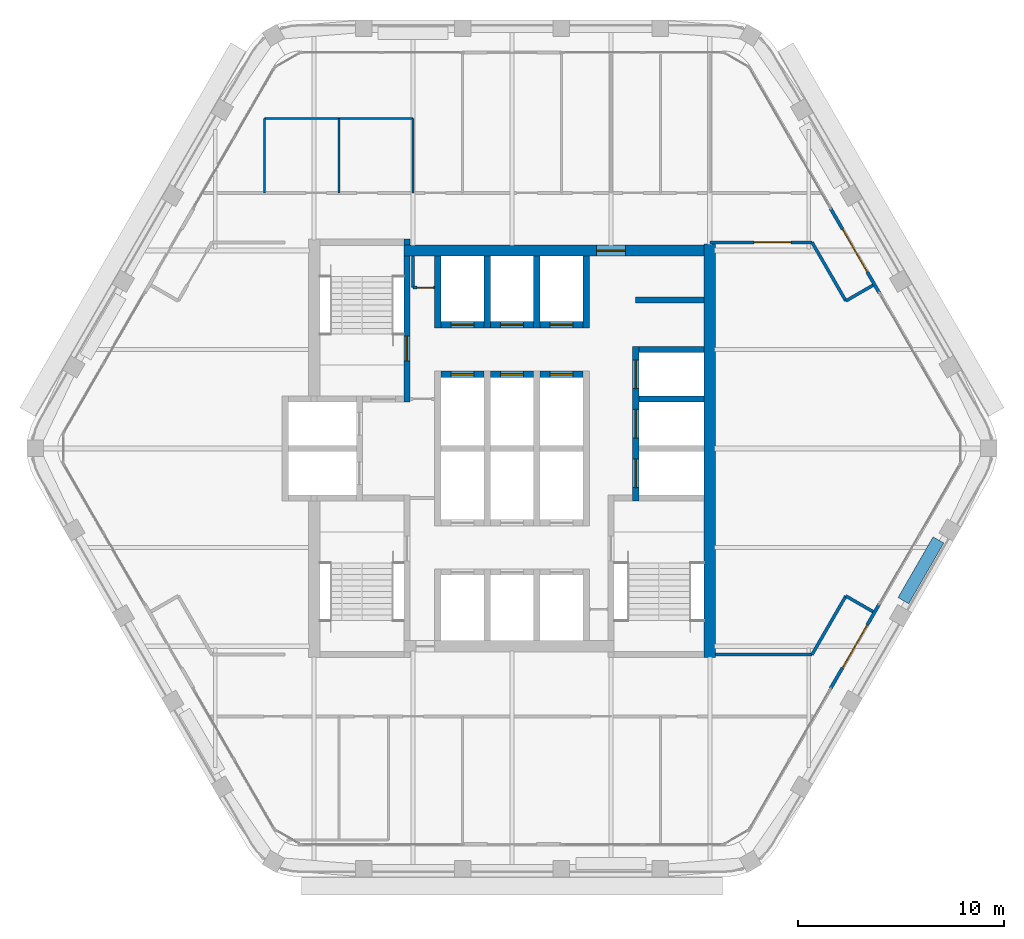
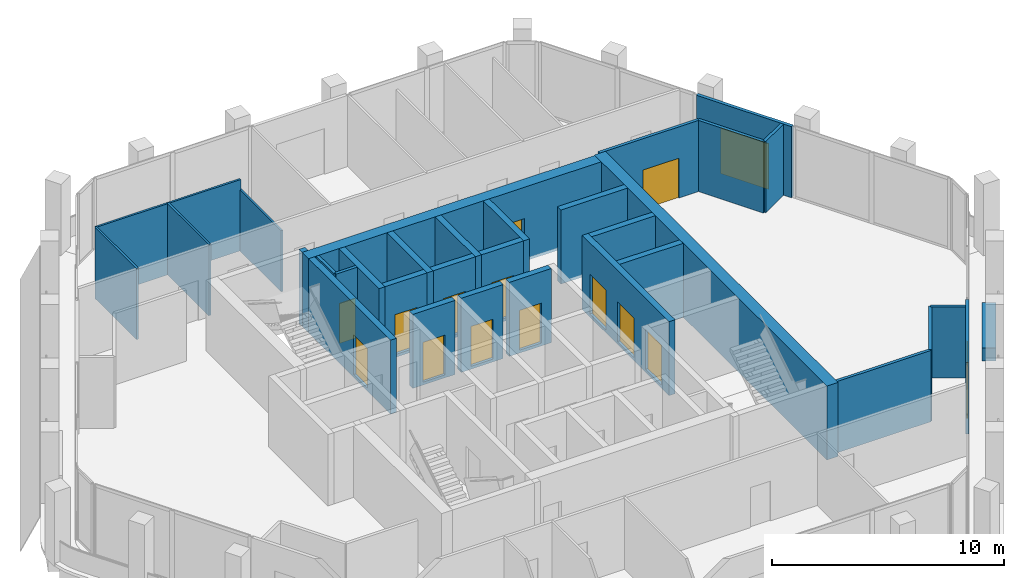
# One storey, part 9 of 13: 33 walls, 15 doors, 15 openings.
"""IFC4 building model written with IfcOpenShell, lengths in metres."""

from ifc_helpers import new_model, si_unit, direction, frame, frame_2d, origin, place, context, subcontext, project, spatial, rectangle, extrude, material, layer, layer_set, type_object, element, fill, save


model = new_model("IFC4")

# Units and contexts
model_context = context("Model", 3, precision=1e-05, world=origin(), true_north=direction((0.0, 1.0)))
body_context = subcontext(model_context, "Body", "Model", "MODEL_VIEW")
ifc_project = project(units=[si_unit("LENGTHUNIT", "METRE"), si_unit("AREAUNIT", "SQUARE_METRE"), si_unit("VOLUMEUNIT", "CUBIC_METRE"), si_unit("PLANEANGLEUNIT", "RADIAN"), si_unit("MASSUNIT", "GRAM", prefix="KILO")], contexts=[model_context])

# Site, building, storey
site_placement = place(None, origin())
site = spatial("IfcSite", under=ifc_project, at=site_placement, CompositionType="ELEMENT")
building_placement = place(site_placement, origin())
building = spatial("IfcBuilding", under=site, at=building_placement, Name="Kolab Exchange Tower", CompositionType="ELEMENT")
storey_placement = place(building_placement, frame((0.0, 0.0, 230.60009765625)))
storey = spatial("IfcBuildingStorey", under=building, at=storey_placement, Name="L50", CompositionType="ELEMENT", Elevation=230.60009765625)

# Wall, opening, door
ifc_material_1 = material(Name="Concrete C50/60", Category="concrete")
ifc_layer_1 = layer(ifc_material_1, 0.550048828125)
ifc_layer_set_1 = layer_set([ifc_layer_1], Name="Concrete C50/60")
wall_type_1 = type_object("IfcWallType", Name="CORE WALL 550 C50/60", PredefinedType="SHEAR", material=ifc_layer_set_1)
wall_1_placement = place(storey_placement, frame((-5.25, 9.60009765625, -0.150146484375), z_axis=(0.0, 0.0, 1.0), x_axis=(1.0, 0.0, 0.0)))
wall_1 = element("IfcWall", 1, at=wall_1_placement, inside=storey, type_object=wall_type_1, Name="wall/L50/core/031", PredefinedType="SHEAR", context=body_context, shape_type="SweptSolid", body=[
    extrude(rectangle(XDim=14.574951171875, YDim=0.550048828125, at=frame_2d((7.28759765625, 0.0))), origin(), (0.0, 0.0, 1.0), 3.900146484375),
])
opening_1_placement = place(wall_1_placement, frame((9.35009765625, 0.0, 0.14990234375)))
opening_1 = element("IfcOpeningElement", 2, at=opening_1_placement, cuts=wall_1, Name="Opening D5-011", PredefinedType="OPENING", context=body_context, shape_type="SweptSolid", body=[
    extrude(rectangle(XDim=1.39990234375, YDim=2.10009765625, at=frame_2d((0.699951171875, 1.050048828125))), frame((0.0, 0.28515625, 0.0), z_axis=(0.0, -1.0, 0.0), x_axis=(1.0, 0.0, 0.0)), (0.0, 0.0, 1.0), 0.570068359375),
])
ifc_material_2 = material(Name="Steel S235", Category="steel")
door_type_1 = type_object("IfcDoorType", Name="CORE DOOR 1400 EI 120", OperationType="DOUBLE_DOOR_SINGLE_SWING", PredefinedType="DOOR", material=ifc_material_2)
door_1_placement = place(opening_1_placement, frame((1.39990234375, 0.0, 0.0), z_axis=(0.0, 0.0, 1.0), x_axis=(-1.0, 0.0, 0.0)))
door_1 = element("IfcDoor", 3, at=door_1_placement, inside=storey, type_object=door_type_1, Name="Core lobby door", OperationType="SINGLE_SWING_LEFT", OverallHeight=2.10009765625, OverallWidth=1.39990234375, PredefinedType="DOOR", context=body_context, shape_type="SweptSolid", body=[
    extrude(rectangle(XDim=1.39990234375, YDim=2.10009765625, at=frame_2d((0.699951171875, 1.050048828125))), frame((0.0, 0.02490234375, 0.0), z_axis=(0.0, -1.0, 0.0), x_axis=(1.0, 0.0, 0.0)), (0.0, 0.0, 1.0), 0.050048828125),
])
fill(opening_1, door_1)

# Wall
wall_2_placement = place(storey_placement, frame((9.60009765625, -10.14990234375, -0.150146484375), z_axis=(0.0, 0.0, 1.0), x_axis=(0.0, 1.0, 0.0)))
element("IfcWall", 4, at=wall_2_placement, inside=storey, type_object=wall_type_1, Name="wall/L50/core/058", PredefinedType="SHEAR", context=body_context, shape_type="SweptSolid", body=[
    extrude(rectangle(XDim=20.074951171875, YDim=0.550048828125, at=frame_2d((10.03759765625, 0.0))), origin(), (0.0, 0.0, 1.0), 3.900146484375),
])

# Wall, opening, door
ifc_material_3 = material(Name="Aluminium EN AW-6063 T6", Category="aluminium")
ifc_layer_2 = layer(ifc_material_3, 0.159912109375)
ifc_layer_set_2 = layer_set([ifc_layer_2], Name="Aluminium EN AW-6063 T6")
wall_type_2 = type_object("IfcWallType", Name="DOOR SURROUND WALL 160 ALUMINIUM FRAMED", PredefinedType="PARTITIONING", material=ifc_layer_set_2)
wall_3_placement = place(storey_placement, frame((15.44677734375, 11.65478515625, 0.0), z_axis=(0.0, 0.0, 1.0), x_axis=(0.499978080042, -0.866038058908, 0.0)))
wall_3 = element("IfcWall", 5, at=wall_3_placement, inside=storey, type_object=wall_type_2, Name="Door surround wall", PredefinedType="PARTITIONING", context=body_context, shape_type="SweptSolid", body=[
    extrude(rectangle(XDim=4.739990234375, YDim=0.159912109375, at=frame_2d((2.3701171875, 0.0))), origin(), (0.0, 0.0, 1.0), 3.75),
])
opening_2_placement = place(wall_3_placement, frame((1.169921875, 0.0, 0.0)))
opening_2 = element("IfcOpeningElement", 6, at=opening_2_placement, cuts=wall_3, Name="Opening GD1-090", PredefinedType="OPENING", context=body_context, shape_type="SweptSolid", body=[
    extrude(rectangle(XDim=2.39990234375, YDim=2.39990234375, at=frame_2d((1.199951171875, 1.199951171875))), frame((0.0, 0.08984375, 0.0), z_axis=(0.0, -1.0, 0.0), x_axis=(1.0, 0.0, 0.0)), (0.0, 0.0, 1.0), 0.179931640625),
])
door_type_2 = type_object("IfcDoorType", Name="LOGGIA SLIDING GLASS DOOR 2400 X 2400", OperationType="DOUBLE_DOOR_SINGLE_SWING", PredefinedType="DOOR", material=ifc_material_3)
door_2_placement = place(opening_2_placement, origin())
door_2 = element("IfcDoor", 7, at=door_2_placement, inside=storey, type_object=door_type_2, Name="Loggia door", OperationType="DOUBLE_DOOR_SLIDING", OverallHeight=2.39990234375, OverallWidth=2.39990234375, PredefinedType="DOOR", context=body_context, shape_type="SweptSolid", body=[
    extrude(rectangle(XDim=2.39990234375, YDim=2.39990234375, at=frame_2d((1.199951171875, 1.199951171875))), frame((0.0, 0.02490234375, 0.0), z_axis=(0.0, -1.0, 0.0), x_axis=(1.0, 0.0, 0.0)), (0.0, 0.0, 1.0), 0.050048828125),
])
fill(opening_2, door_2)

wall_4_placement = place(storey_placement, frame((17.816650390625, -7.5498046875, 0.0), z_axis=(0.0, 0.0, 1.0), x_axis=(-0.499978080042, -0.866038058908, 0.0)))
wall_4 = element("IfcWall", 8, at=wall_4_placement, inside=storey, type_object=wall_type_2, Name="Door surround wall", PredefinedType="PARTITIONING", context=body_context, shape_type="SweptSolid", body=[
    extrude(rectangle(XDim=4.739990234375, YDim=0.159912109375, at=frame_2d((2.3701171875, 0.0))), origin(), (0.0, 0.0, 1.0), 3.75),
])
opening_3_placement = place(wall_4_placement, frame((1.169921875, 0.0, 0.0)))
opening_3 = element("IfcOpeningElement", 9, at=opening_3_placement, cuts=wall_4, Name="Opening GD1-091", PredefinedType="OPENING", context=body_context, shape_type="SweptSolid", body=[
    extrude(rectangle(XDim=2.39990234375, YDim=2.39990234375, at=frame_2d((1.199951171875, 1.199951171875))), frame((0.0, 0.08984375, 0.0), z_axis=(0.0, -1.0, 0.0), x_axis=(1.0, 0.0, 0.0)), (0.0, 0.0, 1.0), 0.179931640625),
])
door_3_placement = place(opening_3_placement, origin())
door_3 = element("IfcDoor", 10, at=door_3_placement, inside=storey, type_object=door_type_2, Name="Loggia door", OperationType="DOUBLE_DOOR_SLIDING", OverallHeight=2.39990234375, OverallWidth=2.39990234375, PredefinedType="DOOR", context=body_context, shape_type="SweptSolid", body=[
    extrude(rectangle(XDim=2.39990234375, YDim=2.39990234375, at=frame_2d((1.199951171875, 1.199951171875))), frame((0.0, 0.02490234375, 0.0), z_axis=(0.0, -1.0, 0.0), x_axis=(1.0, 0.0, 0.0)), (0.0, 0.0, 1.0), 0.050048828125),
])
fill(opening_3, door_3)

# Wall
ifc_layer_3 = layer(ifc_material_1, 0.300048828125)
ifc_layer_set_3 = layer_set([ifc_layer_3], Name="Concrete C50/60")
wall_type_3 = type_object("IfcWallType", Name="LIFT SHAFT WALL 300 C50/60", PredefinedType="STANDARD", material=ifc_layer_set_3)
wall_5_placement = place(storey_placement, frame((6.14990234375, 2.39990234375, -0.150146484375), z_axis=(0.0, 0.0, 1.0), x_axis=(1.0, 0.0, 0.0)))
element("IfcWall", 11, at=wall_5_placement, inside=storey, type_object=wall_type_3, Name="wall/L50/core/022", PredefinedType="STANDARD", context=body_context, shape_type="SweptSolid", body=[
    extrude(rectangle(XDim=3.175048828125, YDim=0.300048828125, at=frame_2d((1.58740234375, 0.0))), origin(), (0.0, 0.0, 1.0), 3.900146484375),
])

# Wall, opening, door
wall_6_placement = place(storey_placement, frame((-3.449951171875, 3.60009765625, -0.150146484375), z_axis=(0.0, 0.0, 1.0), x_axis=(1.0, 0.0, 0.0)))
wall_6 = element("IfcWall", 12, at=wall_6_placement, inside=storey, type_object=wall_type_3, Name="wall/L50/core/023", PredefinedType="STANDARD", context=body_context, shape_type="SweptSolid", body=[
    extrude(rectangle(XDim=2.099853515625, YDim=0.300048828125, at=frame_2d((1.0498046875, 0.0))), origin(), (0.0, 0.0, 1.0), 3.900146484375),
])
opening_4_placement = place(wall_6_placement, frame((0.5, 0.0, 0.14990234375)))
opening_4 = element("IfcOpeningElement", 13, at=opening_4_placement, cuts=wall_6, Name="Opening LD1-115", PredefinedType="OPENING", context=body_context, shape_type="SweptSolid", body=[
    extrude(rectangle(XDim=1.10009765625, YDim=2.10009765625, at=frame_2d((0.550048828125, 1.050048828125))), frame((0.0, 0.16015625, 0.0), z_axis=(0.0, -1.0, 0.0), x_axis=(1.0, 0.0, 0.0)), (0.0, 0.0, 1.0), 0.320068359375),
])
ifc_material_4 = material(Name="Stainless steel 316", Category="steel")
door_type_3 = type_object("IfcDoorType", Name="LANDING DOOR 1100 PASSENGER", OperationType="DOUBLE_DOOR_SLIDING", PredefinedType="DOOR", material=ifc_material_4)
door_4_placement = place(opening_4_placement, origin())
door_4 = element("IfcDoor", 14, at=door_4_placement, inside=storey, type_object=door_type_3, Name="Landing door HR4", OperationType="DOUBLE_DOOR_SLIDING", OverallHeight=2.10009765625, OverallWidth=1.10009765625, PredefinedType="DOOR", context=body_context, shape_type="SweptSolid", body=[
    extrude(rectangle(XDim=1.10009765625, YDim=2.10009765625, at=frame_2d((0.550048828125, 1.050048828125))), frame((0.0, 0.02490234375, 0.0), z_axis=(0.0, -1.0, 0.0), x_axis=(1.0, 0.0, 0.0)), (0.0, 0.0, 1.0), 0.050048828125),
])
fill(opening_4, door_4)

wall_7_placement = place(storey_placement, frame((-1.050048828125, 3.60009765625, -0.150146484375), z_axis=(0.0, 0.0, 1.0), x_axis=(1.0, 0.0, 0.0)))
wall_7 = element("IfcWall", 15, at=wall_7_placement, inside=storey, type_object=wall_type_3, Name="wall/L50/core/024", PredefinedType="STANDARD", context=body_context, shape_type="SweptSolid", body=[
    extrude(rectangle(XDim=2.10009765625, YDim=0.300048828125, at=frame_2d((1.050048828125, 0.0))), origin(), (0.0, 0.0, 1.0), 3.900146484375),
])
opening_5_placement = place(wall_7_placement, frame((0.5, 0.0, 0.14990234375)))
opening_5 = element("IfcOpeningElement", 16, at=opening_5_placement, cuts=wall_7, Name="Opening LD1-116", PredefinedType="OPENING", context=body_context, shape_type="SweptSolid", body=[
    extrude(rectangle(XDim=1.10009765625, YDim=2.10009765625, at=frame_2d((0.550048828125, 1.050048828125))), frame((0.0, 0.16015625, 0.0), z_axis=(0.0, -1.0, 0.0), x_axis=(1.0, 0.0, 0.0)), (0.0, 0.0, 1.0), 0.320068359375),
])
door_5_placement = place(opening_5_placement, origin())
door_5 = element("IfcDoor", 17, at=door_5_placement, inside=storey, type_object=door_type_3, Name="Landing door HR5", OperationType="DOUBLE_DOOR_SLIDING", OverallHeight=2.10009765625, OverallWidth=1.10009765625, PredefinedType="DOOR", context=body_context, shape_type="SweptSolid", body=[
    extrude(rectangle(XDim=1.10009765625, YDim=2.10009765625, at=frame_2d((0.550048828125, 1.050048828125))), frame((0.0, 0.02490234375, 0.0), z_axis=(0.0, -1.0, 0.0), x_axis=(1.0, 0.0, 0.0)), (0.0, 0.0, 1.0), 0.050048828125),
])
fill(opening_5, door_5)

wall_8_placement = place(storey_placement, frame((1.35009765625, 3.60009765625, -0.150146484375), z_axis=(0.0, 0.0, 1.0), x_axis=(1.0, 0.0, 0.0)))
wall_8 = element("IfcWall", 18, at=wall_8_placement, inside=storey, type_object=wall_type_3, Name="wall/L50/core/025", PredefinedType="STANDARD", context=body_context, shape_type="SweptSolid", body=[
    extrude(rectangle(XDim=2.099853515625, YDim=0.300048828125, at=frame_2d((1.0498046875, 0.0))), origin(), (0.0, 0.0, 1.0), 3.900146484375),
])
opening_6_placement = place(wall_8_placement, frame((0.5, 0.0, 0.14990234375)))
opening_6 = element("IfcOpeningElement", 19, at=opening_6_placement, cuts=wall_8, Name="Opening LD1-117", PredefinedType="OPENING", context=body_context, shape_type="SweptSolid", body=[
    extrude(rectangle(XDim=1.10009765625, YDim=2.10009765625, at=frame_2d((0.550048828125, 1.050048828125))), frame((0.0, 0.16015625, 0.0), z_axis=(0.0, -1.0, 0.0), x_axis=(1.0, 0.0, 0.0)), (0.0, 0.0, 1.0), 0.320068359375),
])
door_6_placement = place(opening_6_placement, origin())
door_6 = element("IfcDoor", 20, at=door_6_placement, inside=storey, type_object=door_type_3, Name="Landing door HR6", OperationType="DOUBLE_DOOR_SLIDING", OverallHeight=2.10009765625, OverallWidth=1.10009765625, PredefinedType="DOOR", context=body_context, shape_type="SweptSolid", body=[
    extrude(rectangle(XDim=1.10009765625, YDim=2.10009765625, at=frame_2d((0.550048828125, 1.050048828125))), frame((0.0, 0.02490234375, 0.0), z_axis=(0.0, -1.0, 0.0), x_axis=(1.0, 0.0, 0.0)), (0.0, 0.0, 1.0), 0.050048828125),
])
fill(opening_6, door_6)

# Wall
wall_9_placement = place(storey_placement, frame((6.14990234375, 4.800048828125, -0.150146484375), z_axis=(0.0, 0.0, 1.0), x_axis=(1.0, 0.0, 0.0)))
element("IfcWall", 21, at=wall_9_placement, inside=storey, type_object=wall_type_3, Name="wall/L50/core/026", PredefinedType="STANDARD", context=body_context, shape_type="SweptSolid", body=[
    extrude(rectangle(XDim=3.175048828125, YDim=0.300048828125, at=frame_2d((1.58740234375, 0.0))), origin(), (0.0, 0.0, 1.0), 3.900146484375),
])

# Wall, opening, door
wall_10_placement = place(storey_placement, frame((-3.449951171875, 6.0, -0.150146484375), z_axis=(0.0, 0.0, 1.0), x_axis=(1.0, 0.0, 0.0)))
wall_10 = element("IfcWall", 22, at=wall_10_placement, inside=storey, type_object=wall_type_3, Name="wall/L50/core/027", PredefinedType="STANDARD", context=body_context, shape_type="SweptSolid", body=[
    extrude(rectangle(XDim=2.099853515625, YDim=0.300048828125, at=frame_2d((1.0498046875, 0.0))), origin(), (0.0, 0.0, 1.0), 3.900146484375),
])
opening_7_placement = place(wall_10_placement, frame((0.5, 0.0, 0.14990234375)))
opening_7 = element("IfcOpeningElement", 23, at=opening_7_placement, cuts=wall_10, Name="Opening LD1-109", PredefinedType="OPENING", context=body_context, shape_type="SweptSolid", body=[
    extrude(rectangle(XDim=1.10009765625, YDim=2.10009765625, at=frame_2d((0.550048828125, 1.050048828125))), frame((0.0, 0.16015625, 0.0), z_axis=(0.0, -1.0, 0.0), x_axis=(1.0, 0.0, 0.0)), (0.0, 0.0, 1.0), 0.320068359375),
])
door_7_placement = place(opening_7_placement, origin())
door_7 = element("IfcDoor", 24, at=door_7_placement, inside=storey, type_object=door_type_3, Name="Landing door HR1", OperationType="DOUBLE_DOOR_SLIDING", OverallHeight=2.10009765625, OverallWidth=1.10009765625, PredefinedType="DOOR", context=body_context, shape_type="SweptSolid", body=[
    extrude(rectangle(XDim=1.10009765625, YDim=2.10009765625, at=frame_2d((0.550048828125, 1.050048828125))), frame((0.0, 0.02490234375, 0.0), z_axis=(0.0, -1.0, 0.0), x_axis=(1.0, 0.0, 0.0)), (0.0, 0.0, 1.0), 0.050048828125),
])
fill(opening_7, door_7)

wall_11_placement = place(storey_placement, frame((-1.050048828125, 6.0, -0.150146484375), z_axis=(0.0, 0.0, 1.0), x_axis=(1.0, 0.0, 0.0)))
wall_11 = element("IfcWall", 25, at=wall_11_placement, inside=storey, type_object=wall_type_3, Name="wall/L50/core/028", PredefinedType="STANDARD", context=body_context, shape_type="SweptSolid", body=[
    extrude(rectangle(XDim=2.10009765625, YDim=0.300048828125, at=frame_2d((1.050048828125, 0.0))), origin(), (0.0, 0.0, 1.0), 3.900146484375),
])
opening_8_placement = place(wall_11_placement, frame((0.5, 0.0, 0.14990234375)))
opening_8 = element("IfcOpeningElement", 26, at=opening_8_placement, cuts=wall_11, Name="Opening LD1-113", PredefinedType="OPENING", context=body_context, shape_type="SweptSolid", body=[
    extrude(rectangle(XDim=1.10009765625, YDim=2.10009765625, at=frame_2d((0.550048828125, 1.050048828125))), frame((0.0, 0.16015625, 0.0), z_axis=(0.0, -1.0, 0.0), x_axis=(1.0, 0.0, 0.0)), (0.0, 0.0, 1.0), 0.320068359375),
])
door_8_placement = place(opening_8_placement, origin())
door_8 = element("IfcDoor", 27, at=door_8_placement, inside=storey, type_object=door_type_3, Name="Landing door HR2", OperationType="DOUBLE_DOOR_SLIDING", OverallHeight=2.10009765625, OverallWidth=1.10009765625, PredefinedType="DOOR", context=body_context, shape_type="SweptSolid", body=[
    extrude(rectangle(XDim=1.10009765625, YDim=2.10009765625, at=frame_2d((0.550048828125, 1.050048828125))), frame((0.0, 0.02490234375, 0.0), z_axis=(0.0, -1.0, 0.0), x_axis=(1.0, 0.0, 0.0)), (0.0, 0.0, 1.0), 0.050048828125),
])
fill(opening_8, door_8)

wall_12_placement = place(storey_placement, frame((1.35009765625, 6.0, -0.150146484375), z_axis=(0.0, 0.0, 1.0), x_axis=(1.0, 0.0, 0.0)))
wall_12 = element("IfcWall", 28, at=wall_12_placement, inside=storey, type_object=wall_type_3, Name="wall/L50/core/029", PredefinedType="STANDARD", context=body_context, shape_type="SweptSolid", body=[
    extrude(rectangle(XDim=2.099853515625, YDim=0.300048828125, at=frame_2d((1.0498046875, 0.0))), origin(), (0.0, 0.0, 1.0), 3.900146484375),
])
opening_9_placement = place(wall_12_placement, frame((0.5, 0.0, 0.14990234375)))
opening_9 = element("IfcOpeningElement", 29, at=opening_9_placement, cuts=wall_12, Name="Opening LD1-114", PredefinedType="OPENING", context=body_context, shape_type="SweptSolid", body=[
    extrude(rectangle(XDim=1.10009765625, YDim=2.10009765625, at=frame_2d((0.550048828125, 1.050048828125))), frame((0.0, 0.16015625, 0.0), z_axis=(0.0, -1.0, 0.0), x_axis=(1.0, 0.0, 0.0)), (0.0, 0.0, 1.0), 0.320068359375),
])
door_9_placement = place(opening_9_placement, origin())
door_9 = element("IfcDoor", 30, at=door_9_placement, inside=storey, type_object=door_type_3, Name="Landing door HR3", OperationType="DOUBLE_DOOR_SLIDING", OverallHeight=2.10009765625, OverallWidth=1.10009765625, PredefinedType="DOOR", context=body_context, shape_type="SweptSolid", body=[
    extrude(rectangle(XDim=1.10009765625, YDim=2.10009765625, at=frame_2d((0.550048828125, 1.050048828125))), frame((0.0, 0.02490234375, 0.0), z_axis=(0.0, -1.0, 0.0), x_axis=(1.0, 0.0, 0.0)), (0.0, 0.0, 1.0), 0.050048828125),
])
fill(opening_9, door_9)

# Walls
wall_13_placement = place(storey_placement, frame((6.0, 7.199951171875, -0.150146484375), z_axis=(0.0, 0.0, 1.0), x_axis=(1.0, 0.0, 0.0)))
element("IfcWall", 31, at=wall_13_placement, inside=storey, type_object=wall_type_3, Name="wall/L50/core/030", PredefinedType="STANDARD", context=body_context, shape_type="SweptSolid", body=[
    extrude(rectangle(XDim=3.324951171875, YDim=0.300048828125, at=frame_2d((1.66259765625, 0.0))), origin(), (0.0, 0.0, 1.0), 3.900146484375),
])
for number, where, z_axis, x_axis, name in (
    (32, (-3.60009765625, 5.85009765625, -0.150146484375), (0.0, 0.0, 1.0), (0.0, 1.0, 0.0), "wall/L50/core/045"),
    (33, (-1.199951171875, 5.85009765625, -0.150146484375), (0.0, 0.0, 1.0), (0.0, 1.0, 0.0), "wall/L50/core/048"),
    (34, (1.199951171875, 5.85009765625, -0.150146484375), (0.0, 0.0, 1.0), (0.0, 1.0, 0.0), "wall/L50/core/051"),
    (35, (3.60009765625, 5.85009765625, -0.150146484375), (0.0, 0.0, 1.0), (0.0, 1.0, 0.0), "wall/L50/core/054"),
):
    element("IfcWall", number, at=place(storey_placement, frame(where, z_axis=z_axis, x_axis=x_axis)), inside=storey, type_object=wall_type_3, Name=name, PredefinedType="STANDARD", context=body_context, shape_type="SweptSolid", body=[
        extrude(rectangle(XDim=3.474853515625, YDim=0.300048828125, at=frame_2d((1.7373046875, 0.0))), origin(), (0.0, 0.0, 1.0), 3.900146484375),
    ])

# Wall, openings, doors
wall_14_placement = place(storey_placement, frame((6.0, -2.550048828125, -0.150146484375), z_axis=(0.0, 0.0, 1.0), x_axis=(0.0, 1.0, 0.0)))
wall_14 = element("IfcWall", 36, at=wall_14_placement, inside=storey, type_object=wall_type_3, Name="wall/L50/core/057", PredefinedType="STANDARD", context=body_context, shape_type="SweptSolid", body=[
    extrude(rectangle(XDim=7.5, YDim=0.300048828125, at=frame_2d((3.75, 0.0))), origin(), (0.0, 0.0, 1.0), 3.900146484375),
])
opening_10_placement = place(wall_14_placement, frame((0.64990234375, 0.0, 0.14990234375)))
opening_10 = element("IfcOpeningElement", 37, at=opening_10_placement, cuts=wall_14, Name="Opening LD3-037", PredefinedType="OPENING", context=body_context, shape_type="SweptSolid", body=[
    extrude(rectangle(XDim=1.39990234375, YDim=2.10009765625, at=frame_2d((0.699951171875, 1.050048828125))), frame((0.0, 0.16015625, 0.0), z_axis=(0.0, -1.0, 0.0), x_axis=(1.0, 0.0, 0.0)), (0.0, 0.0, 1.0), 0.320068359375),
])
opening_11_placement = place(wall_14_placement, frame((3.050048828125, 0.0, 0.14990234375)))
opening_11 = element("IfcOpeningElement", 38, at=opening_11_placement, cuts=wall_14, Name="Opening LD3-038", PredefinedType="OPENING", context=body_context, shape_type="SweptSolid", body=[
    extrude(rectangle(XDim=1.39990234375, YDim=2.10009765625, at=frame_2d((0.699951171875, 1.050048828125))), frame((0.0, 0.16015625, 0.0), z_axis=(0.0, -1.0, 0.0), x_axis=(1.0, 0.0, 0.0)), (0.0, 0.0, 1.0), 0.320068359375),
])
opening_12_placement = place(wall_14_placement, frame((5.449951171875, 0.0, 0.14990234375)))
opening_12 = element("IfcOpeningElement", 39, at=opening_12_placement, cuts=wall_14, Name="Opening LD3-039", PredefinedType="OPENING", context=body_context, shape_type="SweptSolid", body=[
    extrude(rectangle(XDim=1.39990234375, YDim=2.10009765625, at=frame_2d((0.699951171875, 1.050048828125))), frame((0.0, 0.16015625, 0.0), z_axis=(0.0, -1.0, 0.0), x_axis=(1.0, 0.0, 0.0)), (0.0, 0.0, 1.0), 0.320068359375),
])
door_type_4 = type_object("IfcDoorType", Name="LANDING DOOR 1400 SERVICE", OperationType="DOUBLE_DOOR_SLIDING", PredefinedType="DOOR", material=ifc_material_4)
door_10_placement = place(opening_10_placement, origin())
door_10 = element("IfcDoor", 40, at=door_10_placement, inside=storey, type_object=door_type_4, Name="Landing door SV1", OperationType="DOUBLE_DOOR_SLIDING", OverallHeight=2.10009765625, OverallWidth=1.39990234375, PredefinedType="DOOR", context=body_context, shape_type="SweptSolid", body=[
    extrude(rectangle(XDim=1.39990234375, YDim=2.10009765625, at=frame_2d((0.699951171875, 1.050048828125))), frame((0.0, 0.02490234375, 0.0), z_axis=(0.0, -1.0, 0.0), x_axis=(1.0, 0.0, 0.0)), (0.0, 0.0, 1.0), 0.050048828125),
])
fill(opening_10, door_10)
door_11_placement = place(opening_11_placement, origin())
door_11 = element("IfcDoor", 41, at=door_11_placement, inside=storey, type_object=door_type_4, Name="Landing door SV2", OperationType="DOUBLE_DOOR_SLIDING", OverallHeight=2.10009765625, OverallWidth=1.39990234375, PredefinedType="DOOR", context=body_context, shape_type="SweptSolid", body=[
    extrude(rectangle(XDim=1.39990234375, YDim=2.10009765625, at=frame_2d((0.699951171875, 1.050048828125))), frame((0.0, 0.02490234375, 0.0), z_axis=(0.0, -1.0, 0.0), x_axis=(1.0, 0.0, 0.0)), (0.0, 0.0, 1.0), 0.050048828125),
])
fill(opening_11, door_11)
door_12_placement = place(opening_12_placement, origin())
door_12 = element("IfcDoor", 42, at=door_12_placement, inside=storey, type_object=door_type_4, Name="Landing door SV3", OperationType="DOUBLE_DOOR_SLIDING", OverallHeight=2.10009765625, OverallWidth=1.39990234375, PredefinedType="DOOR", context=body_context, shape_type="SweptSolid", body=[
    extrude(rectangle(XDim=1.39990234375, YDim=2.10009765625, at=frame_2d((0.699951171875, 1.050048828125))), frame((0.0, 0.02490234375, 0.0), z_axis=(0.0, -1.0, 0.0), x_axis=(1.0, 0.0, 0.0)), (0.0, 0.0, 1.0), 0.050048828125),
])
fill(opening_12, door_12)

# Walls
ifc_material_5 = material(Name="Gypsum board", Category="gypsum")
ifc_layer_4 = layer(ifc_material_5, 0.10009765625)
ifc_layer_set_4 = layer_set([ifc_layer_4], Name="Gypsum board")
wall_type_4 = type_object("IfcWallType", Name="PARTITION 100", PredefinedType="PARTITIONING", material=ifc_layer_set_4)
wall_15_placement = place(storey_placement, frame((-4.800048828125, 12.39990234375, 0.0), z_axis=(0.0, 0.0, 1.0), x_axis=(0.0, 1.0, 0.0)))
element("IfcWall", 43, at=wall_15_placement, inside=storey, type_object=wall_type_4, Name="Partition 007", PredefinedType="PARTITIONING", context=body_context, shape_type="SweptSolid", body=[
    extrude(rectangle(XDim=3.60009765625, YDim=0.10009765625, at=frame_2d((1.800048828125, 0.0))), origin(), (0.0, 0.0, 1.0), 3.216796875),
])
for number, where, z_axis, x_axis, name in (
    (44, (-8.39990234375, 12.39990234375, 0.0), (0.0, 0.0, 1.0), (0.0, 1.0, 0.0), "Partition 011"),
    (45, (-12.0, 12.39990234375, 0.0), (0.0, 0.0, 1.0), (0.0, 1.0, 0.0), "Partition 012"),
):
    element("IfcWall", number, at=place(storey_placement, frame(where, z_axis=z_axis, x_axis=x_axis)), inside=storey, type_object=wall_type_4, Name=name, PredefinedType="PARTITIONING", context=body_context, shape_type="SweptSolid", body=[
        extrude(rectangle(XDim=3.60009765625, YDim=0.10009765625, at=frame_2d((1.800048828125, 0.0))), origin(), (0.0, 0.0, 1.0), 3.75),
    ])
wall_16_placement = place(storey_placement, frame((-12.0, 16.0, 0.0), z_axis=(0.0, 0.0, 1.0), x_axis=(1.0, 0.0, 0.0)))
element("IfcWall", 46, at=wall_16_placement, inside=storey, type_object=wall_type_4, Name="Partition 030", PredefinedType="PARTITIONING", context=body_context, shape_type="SweptSolid", body=[
    extrude(rectangle(XDim=7.199951171875, YDim=0.10009765625, at=frame_2d((3.60009765625, 0.0))), origin(), (0.0, 0.0, 1.0), 3.75),
])
ifc_layer_5 = layer(ifc_material_5, 0.14990234375)
ifc_layer_set_5 = layer_set([ifc_layer_5], Name="Gypsum board")
wall_type_5 = type_object("IfcWallType", Name="PARTITION 150 FIRE-RATED", PredefinedType="PARTITIONING", material=ifc_layer_set_5)
wall_17_placement = place(storey_placement, frame((-4.800048828125, 7.800048828125, 0.0), z_axis=(0.0, 0.0, 1.0), x_axis=(0.0, 1.0, 0.0)))
element("IfcWall", 47, at=wall_17_placement, inside=storey, type_object=wall_type_5, Name="Partition 008", PredefinedType="PARTITIONING", context=body_context, shape_type="SweptSolid", body=[
    extrude(rectangle(XDim=1.52490234375, YDim=0.14990234375, at=frame_2d((0.762451171875, 0.0))), origin(), (0.0, 0.0, 1.0), 3.75),
])
for number, where, z_axis, x_axis, name in (
    (48, (14.5546875, 10.0, 0.0), (0.0, 0.0, 1.0), (0.499954196102, -0.866051847062, 0.0), "Partition 014"),
    (49, (14.5546875, -10.0, 0.0), (0.0, 0.0, 1.0), (0.499954196102, 0.866051847062, 0.0), "Partition 015"),
):
    element("IfcWall", number, at=place(storey_placement, frame(where, z_axis=z_axis, x_axis=x_axis)), inside=storey, type_object=wall_type_5, Name=name, PredefinedType="PARTITIONING", context=body_context, shape_type="SweptSolid", body=[
        extrude(rectangle(XDim=3.282958984375, YDim=0.14990234375, at=frame_2d((1.6416015625, 0.0))), origin(), (0.0, 0.0, 1.0), 3.75),
    ])
for number, where, z_axis, x_axis, name in (
    (50, (16.196044921875, -7.15673828125, 0.0), (0.0, 0.0, 1.0), (0.865960906633, -0.500111695708, 0.0), "Partition 018"),
    (51, (16.196044921875, 7.15673828125, 0.0), (0.0, 0.0, 1.0), (0.865960906633, 0.500111695708, 0.0), "Partition 019"),
):
    element("IfcWall", number, at=place(storey_placement, frame(where, z_axis=z_axis, x_axis=x_axis)), inside=storey, type_object=wall_type_5, Name=name, PredefinedType="PARTITIONING", context=body_context, shape_type="SweptSolid", body=[
        extrude(rectangle(XDim=1.520263671875, YDim=0.14990234375, at=frame_2d((0.76025390625, 0.0))), origin(), (0.0, 0.0, 1.0), 3.75),
    ])
wall_18_placement = place(storey_placement, frame((9.875, -10.0, 0.0), z_axis=(0.0, 0.0, 1.0), x_axis=(1.0, 0.0, 0.0)))
element("IfcWall", 52, at=wall_18_placement, inside=storey, type_object=wall_type_5, Name="Partition 024", PredefinedType="PARTITIONING", context=body_context, shape_type="SweptSolid", body=[
    extrude(rectangle(XDim=4.6796875, YDim=0.14990234375, at=frame_2d((2.33984375, 0.0))), origin(), (0.0, 0.0, 1.0), 3.75),
])

# Wall, opening, door
wall_19_placement = place(storey_placement, frame((-4.800048828125, 7.800048828125, 0.0), z_axis=(0.0, 0.0, 1.0), x_axis=(1.0, 0.0, 0.0)))
wall_19 = element("IfcWall", 53, at=wall_19_placement, inside=storey, type_object=wall_type_5, Name="Partition 026", PredefinedType="PARTITIONING", context=body_context, shape_type="SweptSolid", body=[
    extrude(rectangle(XDim=1.050048828125, YDim=0.14990234375, at=frame_2d((0.52490234375, 0.0))), origin(), (0.0, 0.0, 1.0), 3.75),
])
opening_13_placement = place(wall_19_placement, frame((0.199951171875, 0.0, 0.0)))
opening_13 = element("IfcOpeningElement", 54, at=opening_13_placement, cuts=wall_19, Name="Opening D7-030", PredefinedType="OPENING", context=body_context, shape_type="SweptSolid", body=[
    extrude(rectangle(XDim=0.800048828125, YDim=2.10009765625, at=frame_2d((0.39990234375, 1.050048828125))), frame((0.0, 0.0849609375, 0.0), z_axis=(0.0, -1.0, 0.0), x_axis=(1.0, 0.0, 0.0)), (0.0, 0.0, 1.0), 0.169921875),
])
door_type_5 = type_object("IfcDoorType", Name="FLUSH DOOR 800 FD60", OperationType="SINGLE_SWING_LEFT", PredefinedType="DOOR", material=ifc_material_2)
door_13_placement = place(opening_13_placement, origin())
door_13 = element("IfcDoor", 55, at=door_13_placement, inside=storey, type_object=door_type_5, Name="Door L50-023", OperationType="SINGLE_SWING_RIGHT", OverallHeight=2.10009765625, OverallWidth=0.800048828125, PredefinedType="DOOR", context=body_context, shape_type="SweptSolid", body=[
    extrude(rectangle(XDim=0.800048828125, YDim=2.10009765625, at=frame_2d((0.39990234375, 1.050048828125))), frame((0.0, 0.02490234375, 0.0), z_axis=(0.0, -1.0, 0.0), x_axis=(1.0, 0.0, 0.0)), (0.0, 0.0, 1.0), 0.050048828125),
])
fill(opening_13, door_13)

wall_20_placement = place(storey_placement, frame((9.60009765625, 10.0, 0.0), z_axis=(0.0, 0.0, 1.0), x_axis=(1.0, 0.0, 0.0)))
wall_20 = element("IfcWall", 56, at=wall_20_placement, inside=storey, type_object=wall_type_5, Name="Partition 028", PredefinedType="PARTITIONING", context=body_context, shape_type="SweptSolid", body=[
    extrude(rectangle(XDim=4.95458984375, YDim=0.14990234375, at=frame_2d((2.477294921875, 0.0))), origin(), (0.0, 0.0, 1.0), 3.75),
])
opening_14_placement = place(wall_20_placement, frame((2.140869140625, 0.0, 0.0)))
opening_14 = element("IfcOpeningElement", 57, at=opening_14_placement, cuts=wall_20, Name="Opening D2-067", PredefinedType="OPENING", context=body_context, shape_type="SweptSolid", body=[
    extrude(rectangle(XDim=1.800048828125, YDim=2.10009765625, at=frame_2d((0.89990234375, 1.050048828125))), frame((0.0, 0.0849609375, 0.0), z_axis=(0.0, -1.0, 0.0), x_axis=(1.0, 0.0, 0.0)), (0.0, 0.0, 1.0), 0.169921875),
])
door_type_6 = type_object("IfcDoorType", Name="DOUBLE DOOR 1800 FD60", OperationType="DOUBLE_DOOR_SINGLE_SWING", PredefinedType="DOOR", material=ifc_material_2)
door_14_placement = place(opening_14_placement, frame((1.800048828125, 0.0, 0.0), z_axis=(0.0, 0.0, 1.0), x_axis=(-1.0, 0.0, 0.0)))
door_14 = element("IfcDoor", 58, at=door_14_placement, inside=storey, type_object=door_type_6, Name="Door L50-042", OperationType="SINGLE_SWING_RIGHT", OverallHeight=2.10009765625, OverallWidth=1.800048828125, PredefinedType="DOOR", context=body_context, shape_type="SweptSolid", body=[
    extrude(rectangle(XDim=1.800048828125, YDim=2.10009765625, at=frame_2d((0.89990234375, 1.050048828125))), frame((0.0, 0.02490234375, 0.0), z_axis=(0.0, -1.0, 0.0), x_axis=(1.0, 0.0, 0.0)), (0.0, 0.0, 1.0), 0.050048828125),
])
fill(opening_14, door_14)

# Wall
ifc_material_6 = material(Name="Granite facing", Category="masonry")
ifc_layer_6 = layer(ifc_material_6, 0.0400390625)
ifc_material_7 = material(Name="Concrete C40/50 precast", Category="concrete")
ifc_layer_7 = layer(ifc_material_7, 0.56005859375)
ifc_layer_set_6 = layer_set([ifc_layer_6, ifc_layer_7], Name="Concrete C40/50 precast")
wall_type_6 = type_object("IfcWallType", Name="PLANTER BOX 600 X 700 SOIL DEPTH 550", PredefinedType="USERDEFINED", material=ifc_layer_set_6)
wall_21_placement = place(storey_placement, frame((20.68701171875, -4.438232421875, 0.0), z_axis=(0.0, 0.0, 1.0), x_axis=(-0.500008388397, -0.866020560687, 0.0)))
element("IfcWall", 59, at=wall_21_placement, inside=storey, type_object=wall_type_6, Name="Planter", ObjectType="PLANTER", PredefinedType="USERDEFINED", context=body_context, shape_type="SweptSolid", body=[
    extrude(rectangle(XDim=3.39990234375, YDim=0.60009765625, at=frame_2d((1.699951171875, 0.0))), origin(), (0.0, 0.0, 1.0), 0.699951171875),
])

# Wall, opening, door
ifc_layer_8 = layer(ifc_material_1, 0.300048828125)
ifc_layer_set_7 = layer_set([ifc_layer_8], Name="Concrete C50/60")
wall_type_7 = type_object("IfcWallType", Name="STAIR ENCLOSURE WALL 300 C50/60", PredefinedType="STANDARD", material=ifc_layer_set_7)
wall_22_placement = place(storey_placement, frame((-5.10009765625, 2.25, -0.150146484375), z_axis=(0.0, 0.0, 1.0), x_axis=(0.0, 1.0, 0.0)))
wall_22 = element("IfcWall", 60, at=wall_22_placement, inside=storey, type_object=wall_type_7, Name="wall/L50/core/041", PredefinedType="STANDARD", context=body_context, shape_type="SweptSolid", body=[
    extrude(rectangle(XDim=7.074951171875, YDim=0.300048828125, at=frame_2d((3.53759765625, 0.0))), origin(), (0.0, 0.0, 1.0), 3.900146484375),
])
opening_15_placement = place(wall_22_placement, frame((2.0, 0.0, 0.14990234375)))
opening_15 = element("IfcOpeningElement", 61, at=opening_15_placement, cuts=wall_22, Name="Opening D4-076", PredefinedType="OPENING", context=body_context, shape_type="SweptSolid", body=[
    extrude(rectangle(XDim=1.199951171875, YDim=2.10009765625, at=frame_2d((0.60009765625, 1.050048828125))), frame((0.0, 0.16015625, 0.0), z_axis=(0.0, -1.0, 0.0), x_axis=(1.0, 0.0, 0.0)), (0.0, 0.0, 1.0), 0.320068359375),
])
door_type_7 = type_object("IfcDoorType", Name="STAIR DOOR 1200 EI 120", OperationType="SINGLE_SWING_LEFT", PredefinedType="DOOR", material=ifc_material_2)
door_15_placement = place(opening_15_placement, origin())
door_15 = element("IfcDoor", 62, at=door_15_placement, inside=storey, type_object=door_type_7, Name="Stair 1 door", OperationType="SINGLE_SWING_LEFT", OverallHeight=2.10009765625, OverallWidth=1.199951171875, PredefinedType="DOOR", context=body_context, shape_type="SweptSolid", body=[
    extrude(rectangle(XDim=1.199951171875, YDim=2.10009765625, at=frame_2d((0.60009765625, 1.050048828125))), frame((0.0, 0.02490234375, 0.0), z_axis=(0.0, -1.0, 0.0), x_axis=(1.0, 0.0, 0.0)), (0.0, 0.0, 1.0), 0.050048828125),
])
fill(opening_15, door_15)

# Wall
wall_23_placement = place(storey_placement, frame((-5.10009765625, 9.875, -0.150146484375), z_axis=(0.0, 0.0, 1.0), x_axis=(0.0, 1.0, 0.0)))
element("IfcWall", 63, at=wall_23_placement, inside=storey, type_object=wall_type_7, Name="wall/L50/core/042", PredefinedType="STANDARD", context=body_context, shape_type="SweptSolid", body=[
    extrude(rectangle(XDim=0.27490234375, YDim=0.300048828125, at=frame_2d((0.137451171875, 0.0))), origin(), (0.0, 0.0, 1.0), 3.900146484375),
])

save(model, "model.ifc")
